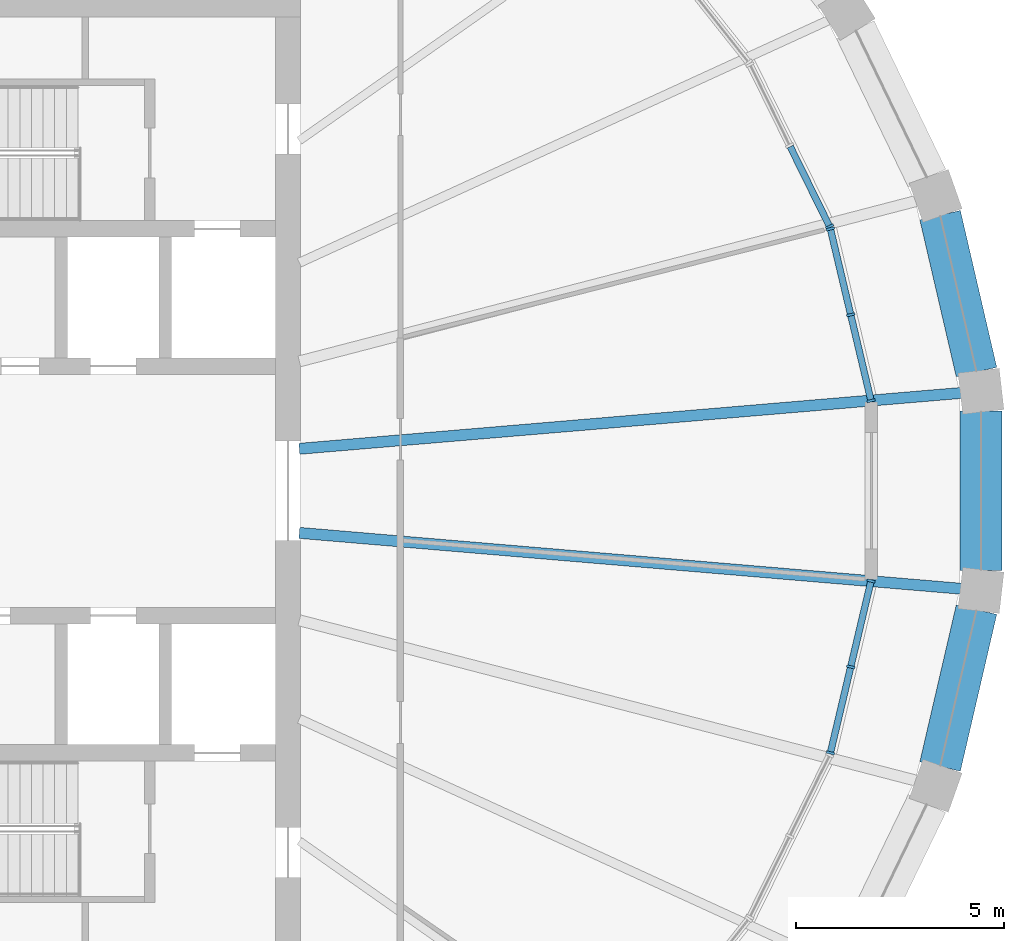
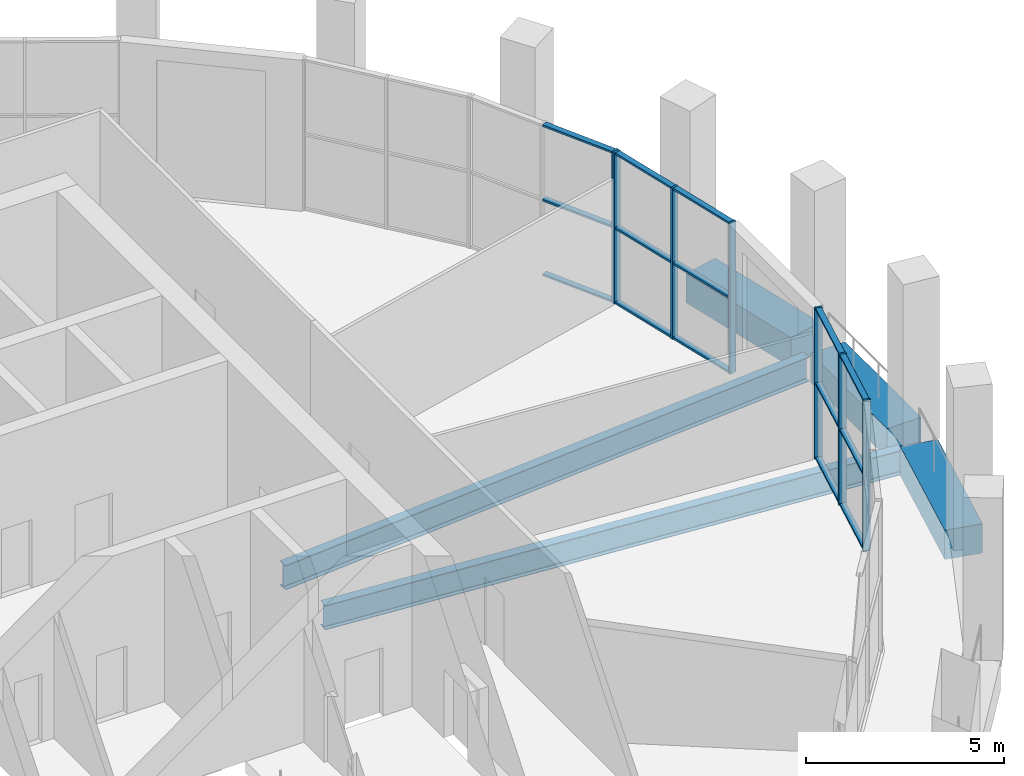
# One storey, part 5 of 15: 22 members, 5 beams, 3 elements without a shape of their own.
"""IFC4 building model written with IfcOpenShell, lengths in metres."""

from ifc_helpers import new_model, si_unit, direction, frame, origin, origin_2d, place, context, subcontext, project, spatial, rectangle, i_section, extrude, material, material_profile, profile_set, type_object, element, aggregate, save


model = new_model("IFC4")

# Units and contexts
model_context = context("Model", 3, precision=1e-05, world=origin(), true_north=direction((0.0, 1.0)))
body_context = subcontext(model_context, "Body", "Model", "MODEL_VIEW")
ifc_project = project(units=[si_unit("LENGTHUNIT", "METRE"), si_unit("AREAUNIT", "SQUARE_METRE"), si_unit("VOLUMEUNIT", "CUBIC_METRE"), si_unit("PLANEANGLEUNIT", "RADIAN"), si_unit("MASSUNIT", "GRAM", prefix="KILO")], contexts=[model_context])

# Site, building, storey
site_placement = place(None, origin())
site = spatial("IfcSite", under=ifc_project, at=site_placement, CompositionType="ELEMENT")
building_placement = place(site_placement, origin())
building = spatial("IfcBuilding", under=site, at=building_placement, Name="Halqa Exchange Tower", CompositionType="ELEMENT")
storey_placement = place(building_placement, frame((0.0, 0.0, 338.300048828125)))
storey = spatial("IfcBuildingStorey", under=building, at=storey_placement, Name="L79", CompositionType="ELEMENT", Elevation=338.300048828125)

# Curtain wall, members
ifc_material_1 = material(Name="Anodised aluminium and clear glass", Category="aluminium")
curtain_wall_type = type_object("IfcCurtainWallType", Name="Executive floor glazing", PredefinedType="NOTDEFINED", material=ifc_material_1)
curtain_wall_1_placement = place(storey_placement, origin())
curtain_wall_1 = element("IfcCurtainWall", 1, at=curtain_wall_1_placement, inside=storey, type_object=curtain_wall_type, Name="Executive floor glazing run G1", PredefinedType="NOTDEFINED")
ifc_material_2 = material(Name="Anodised aluminium", Category="aluminium")
ifc_material_profile_1 = material_profile(ifc_material_2, rectangle(XDim=0.199951171875, YDim=0.06005859375, at=origin_2d()), Name="AL 60x200")
ifc_profile_set_1 = profile_set([ifc_material_profile_1], Name="Anodised aluminium")
member_type_1 = type_object("IfcMemberType", Name="Executive floor glazing mullion 60 x 200", PredefinedType="MULLION", material=ifc_profile_set_1)
member_1_placement = place(storey_placement, frame((25.71923828125, 2.166748046875, 0.0), z_axis=(0.0, 0.0, 1.0), x_axis=(-0.97319169906, -0.229995471437, 0.0)))
member_1 = element("IfcMember", 2, at=member_1_placement, type_object=member_type_1, Name="G1 mullion 1", PredefinedType="MULLION", context=body_context, shape_type="SweptSolid", body=[
    extrude(rectangle(XDim=0.199951171875, YDim=0.06005859375, at=origin_2d()), origin(), (0.0, 0.0, 1.0), 4.64990234375),
])
member_2_placement = place(storey_placement, frame((25.23095703125, 4.2333984375, 0.0), z_axis=(0.0, 0.0, 1.0), x_axis=(-0.97319169906, -0.229995471437, 0.0)))
member_2 = element("IfcMember", 3, at=member_2_placement, type_object=member_type_1, Name="G1 mullion 2", PredefinedType="MULLION", context=body_context, shape_type="SweptSolid", body=[
    extrude(rectangle(XDim=0.199951171875, YDim=0.06005859375, at=origin_2d()), origin(), (0.0, 0.0, 1.0), 4.64990234375),
])
member_3_placement = place(storey_placement, frame((24.742431640625, 6.30029296875, 0.0), z_axis=(0.0, 0.0, 1.0), x_axis=(-0.97319169906, -0.229995471437, 0.0)))
member_3 = element("IfcMember", 4, at=member_3_placement, type_object=member_type_1, Name="G1 mullion 3", PredefinedType="MULLION", context=body_context, shape_type="SweptSolid", body=[
    extrude(rectangle(XDim=0.199951171875, YDim=0.06005859375, at=origin_2d()), origin(), (0.0, 0.0, 1.0), 4.64990234375),
])

# Curtain wall, member
curtain_wall_2_placement = place(storey_placement, origin())
curtain_wall_2 = element("IfcCurtainWall", 5, at=curtain_wall_2_placement, inside=storey, type_object=curtain_wall_type, Name="Executive floor glazing run G2", PredefinedType="NOTDEFINED")
member_4_placement = place(storey_placement, frame((24.72216796875, 6.3564453125, 0.0), z_axis=(0.0, 0.0, 1.0), x_axis=(-0.897214741349, -0.441594506199, 0.0)))
member_4 = element("IfcMember", 6, at=member_4_placement, type_object=member_type_1, Name="G2 mullion 1", PredefinedType="MULLION", context=body_context, shape_type="SweptSolid", body=[
    extrude(rectangle(XDim=0.199951171875, YDim=0.06005859375, at=origin_2d()), origin(), (0.0, 0.0, 1.0), 4.64990234375),
])

# Curtain wall, members
curtain_wall_3_placement = place(storey_placement, origin())
curtain_wall_3 = element("IfcCurtainWall", 7, at=curtain_wall_3_placement, inside=storey, type_object=curtain_wall_type, Name="Executive floor glazing run G31", PredefinedType="NOTDEFINED")
member_5_placement = place(storey_placement, frame((24.742431640625, -6.30029296875, 0.0), z_axis=(0.0, 0.0, 1.0), x_axis=(-0.97319169906, 0.229995471437, 0.0)))
member_5 = element("IfcMember", 8, at=member_5_placement, type_object=member_type_1, Name="G31 mullion 1", PredefinedType="MULLION", context=body_context, shape_type="SweptSolid", body=[
    extrude(rectangle(XDim=0.199951171875, YDim=0.06005859375, at=origin_2d()), origin(), (0.0, 0.0, 1.0), 4.64990234375),
])
member_6_placement = place(storey_placement, frame((25.23095703125, -4.2333984375, 0.0), z_axis=(0.0, 0.0, 1.0), x_axis=(-0.97319169906, 0.229995471437, 0.0)))
member_6 = element("IfcMember", 9, at=member_6_placement, type_object=member_type_1, Name="G31 mullion 2", PredefinedType="MULLION", context=body_context, shape_type="SweptSolid", body=[
    extrude(rectangle(XDim=0.199951171875, YDim=0.06005859375, at=origin_2d()), origin(), (0.0, 0.0, 1.0), 4.64990234375),
])
member_7_placement = place(storey_placement, frame((25.71923828125, -2.166748046875, 0.0), z_axis=(0.0, 0.0, 1.0), x_axis=(-0.97319169906, 0.229995471437, 0.0)))
member_7 = element("IfcMember", 10, at=member_7_placement, type_object=member_type_1, Name="G31 mullion 3", PredefinedType="MULLION", context=body_context, shape_type="SweptSolid", body=[
    extrude(rectangle(XDim=0.199951171875, YDim=0.06005859375, at=origin_2d()), origin(), (0.0, 0.0, 1.0), 4.64990234375),
])

# Member
ifc_material_profile_2 = material_profile(ifc_material_2, rectangle(XDim=0.159912109375, YDim=0.06005859375, at=origin_2d()), Name="AL 60x160")
ifc_profile_set_2 = profile_set([ifc_material_profile_2], Name="Anodised aluminium")
member_type_2 = type_object("IfcMemberType", Name="Executive floor glazing transom 60 x 160", PredefinedType="USERDEFINED", material=ifc_profile_set_2)
member_8_placement = place(storey_placement, frame((25.71240234375, 2.19580078125, 0.030029296875), z_axis=(-0.22996230686, 0.973199536284, 0.0), x_axis=(-0.973199536284, -0.22996230686, 0.0)))
member_8 = element("IfcMember", 11, at=member_8_placement, type_object=member_type_2, Name="G1 transom 1.1", ObjectType="TRANSOM", PredefinedType="USERDEFINED", context=body_context, shape_type="SweptSolid", body=[
    extrude(rectangle(XDim=0.159912109375, YDim=0.06005859375, at=origin_2d()), origin(), (0.0, 0.0, 1.0), 2.06396484375),
])

member_9_placement = place(storey_placement, frame((25.71240234375, 2.19580078125, 2.324951171875), z_axis=(-0.22996230686, 0.973199536284, 0.0), x_axis=(-0.973199536284, -0.22996230686, 0.0)))
member_9 = element("IfcMember", 12, at=member_9_placement, type_object=member_type_2, Name="G1 transom 1.2", ObjectType="TRANSOM", PredefinedType="USERDEFINED", context=body_context, shape_type="SweptSolid", body=[
    extrude(rectangle(XDim=0.159912109375, YDim=0.06005859375, at=origin_2d()), origin(), (0.0, 0.0, 1.0), 2.06396484375),
])

member_10_placement = place(storey_placement, frame((25.71240234375, 2.19580078125, 4.619873046875), z_axis=(-0.22996230686, 0.973199536284, 0.0), x_axis=(-0.973199536284, -0.22996230686, 0.0)))
member_10 = element("IfcMember", 13, at=member_10_placement, type_object=member_type_2, Name="G1 transom 1.3", ObjectType="TRANSOM", PredefinedType="USERDEFINED", context=body_context, shape_type="SweptSolid", body=[
    extrude(rectangle(XDim=0.159912109375, YDim=0.06005859375, at=origin_2d()), origin(), (0.0, 0.0, 1.0), 2.06396484375),
])

member_11_placement = place(storey_placement, frame((25.223876953125, 4.2626953125, 0.030029296875), z_axis=(-0.229988783785, 0.973193279535, 0.0), x_axis=(-0.973193279535, -0.229988783785, 0.0)))
member_11 = element("IfcMember", 14, at=member_11_placement, type_object=member_type_2, Name="G1 transom 2.1", ObjectType="TRANSOM", PredefinedType="USERDEFINED", context=body_context, shape_type="SweptSolid", body=[
    extrude(rectangle(XDim=0.159912109375, YDim=0.06005859375, at=origin_2d()), origin(), (0.0, 0.0, 1.0), 2.063720703125),
])

member_12_placement = place(storey_placement, frame((25.223876953125, 4.2626953125, 2.324951171875), z_axis=(-0.229988783785, 0.973193279535, 0.0), x_axis=(-0.973193279535, -0.229988783785, 0.0)))
member_12 = element("IfcMember", 15, at=member_12_placement, type_object=member_type_2, Name="G1 transom 2.2", ObjectType="TRANSOM", PredefinedType="USERDEFINED", context=body_context, shape_type="SweptSolid", body=[
    extrude(rectangle(XDim=0.159912109375, YDim=0.06005859375, at=origin_2d()), origin(), (0.0, 0.0, 1.0), 2.063720703125),
])

member_13_placement = place(storey_placement, frame((25.223876953125, 4.2626953125, 4.619873046875), z_axis=(-0.229988783785, 0.973193279535, 0.0), x_axis=(-0.973193279535, -0.229988783785, 0.0)))
member_13 = element("IfcMember", 16, at=member_13_placement, type_object=member_type_2, Name="G1 transom 2.3", ObjectType="TRANSOM", PredefinedType="USERDEFINED", context=body_context, shape_type="SweptSolid", body=[
    extrude(rectangle(XDim=0.159912109375, YDim=0.06005859375, at=origin_2d()), origin(), (0.0, 0.0, 1.0), 2.063720703125),
])

aggregate(curtain_wall_1, [member_1, member_2, member_3, member_8, member_9, member_10, member_11, member_12, member_13])

member_14_placement = place(storey_placement, frame((24.708984375, 6.38330078125, 0.030029296875), z_axis=(-0.441603772589, 0.897210180524, 0.0), x_axis=(-0.897210180524, -0.441603772589, 0.0)))
member_14 = element("IfcMember", 17, at=member_14_placement, type_object=member_type_2, Name="G2 transom 1.1", ObjectType="TRANSOM", PredefinedType="USERDEFINED", context=body_context, shape_type="SweptSolid", body=[
    extrude(rectangle(XDim=0.159912109375, YDim=0.06005859375, at=origin_2d()), origin(), (0.0, 0.0, 1.0), 2.109619140625),
])

member_15_placement = place(storey_placement, frame((24.708984375, 6.38330078125, 2.324951171875), z_axis=(-0.441603772589, 0.897210180524, 0.0), x_axis=(-0.897210180524, -0.441603772589, 0.0)))
member_15 = element("IfcMember", 18, at=member_15_placement, type_object=member_type_2, Name="G2 transom 1.2", ObjectType="TRANSOM", PredefinedType="USERDEFINED", context=body_context, shape_type="SweptSolid", body=[
    extrude(rectangle(XDim=0.159912109375, YDim=0.06005859375, at=origin_2d()), origin(), (0.0, 0.0, 1.0), 2.109619140625),
])

member_16_placement = place(storey_placement, frame((24.708984375, 6.38330078125, 4.619873046875), z_axis=(-0.441603772589, 0.897210180524, 0.0), x_axis=(-0.897210180524, -0.441603772589, 0.0)))
member_16 = element("IfcMember", 19, at=member_16_placement, type_object=member_type_2, Name="G2 transom 1.3", ObjectType="TRANSOM", PredefinedType="USERDEFINED", context=body_context, shape_type="SweptSolid", body=[
    extrude(rectangle(XDim=0.159912109375, YDim=0.06005859375, at=origin_2d()), origin(), (0.0, 0.0, 1.0), 2.109619140625),
])

aggregate(curtain_wall_2, [member_4, member_14, member_15, member_16])

member_17_placement = place(storey_placement, frame((24.749267578125, -6.27099609375, 0.030029296875), z_axis=(0.229988783785, 0.973193279535, 0.0), x_axis=(-0.973193279535, 0.229988783785, 0.0)))
member_17 = element("IfcMember", 20, at=member_17_placement, type_object=member_type_2, Name="G31 transom 1.1", ObjectType="TRANSOM", PredefinedType="USERDEFINED", context=body_context, shape_type="SweptSolid", body=[
    extrude(rectangle(XDim=0.159912109375, YDim=0.06005859375, at=origin_2d()), origin(), (0.0, 0.0, 1.0), 2.063720703125),
])

member_18_placement = place(storey_placement, frame((24.749267578125, -6.27099609375, 2.324951171875), z_axis=(0.229988783785, 0.973193279535, 0.0), x_axis=(-0.973193279535, 0.229988783785, 0.0)))
member_18 = element("IfcMember", 21, at=member_18_placement, type_object=member_type_2, Name="G31 transom 1.2", ObjectType="TRANSOM", PredefinedType="USERDEFINED", context=body_context, shape_type="SweptSolid", body=[
    extrude(rectangle(XDim=0.159912109375, YDim=0.06005859375, at=origin_2d()), origin(), (0.0, 0.0, 1.0), 2.063720703125),
])

member_19_placement = place(storey_placement, frame((24.749267578125, -6.27099609375, 4.619873046875), z_axis=(0.229988783785, 0.973193279535, 0.0), x_axis=(-0.973193279535, 0.229988783785, 0.0)))
member_19 = element("IfcMember", 22, at=member_19_placement, type_object=member_type_2, Name="G31 transom 1.3", ObjectType="TRANSOM", PredefinedType="USERDEFINED", context=body_context, shape_type="SweptSolid", body=[
    extrude(rectangle(XDim=0.159912109375, YDim=0.06005859375, at=origin_2d()), origin(), (0.0, 0.0, 1.0), 2.063720703125),
])

member_20_placement = place(storey_placement, frame((25.23779296875, -4.204345703125, 0.030029296875), z_axis=(0.22996230686, 0.973199536284, 0.0), x_axis=(-0.973199536284, 0.22996230686, 0.0)))
member_20 = element("IfcMember", 23, at=member_20_placement, type_object=member_type_2, Name="G31 transom 2.1", ObjectType="TRANSOM", PredefinedType="USERDEFINED", context=body_context, shape_type="SweptSolid", body=[
    extrude(rectangle(XDim=0.159912109375, YDim=0.06005859375, at=origin_2d()), origin(), (0.0, 0.0, 1.0), 2.06396484375),
])

member_21_placement = place(storey_placement, frame((25.23779296875, -4.204345703125, 2.324951171875), z_axis=(0.22996230686, 0.973199536284, 0.0), x_axis=(-0.973199536284, 0.22996230686, 0.0)))
member_21 = element("IfcMember", 24, at=member_21_placement, type_object=member_type_2, Name="G31 transom 2.2", ObjectType="TRANSOM", PredefinedType="USERDEFINED", context=body_context, shape_type="SweptSolid", body=[
    extrude(rectangle(XDim=0.159912109375, YDim=0.06005859375, at=origin_2d()), origin(), (0.0, 0.0, 1.0), 2.06396484375),
])

member_22_placement = place(storey_placement, frame((25.23779296875, -4.204345703125, 4.619873046875), z_axis=(0.22996230686, 0.973199536284, 0.0), x_axis=(-0.973199536284, 0.22996230686, 0.0)))
member_22 = element("IfcMember", 25, at=member_22_placement, type_object=member_type_2, Name="G31 transom 2.3", ObjectType="TRANSOM", PredefinedType="USERDEFINED", context=body_context, shape_type="SweptSolid", body=[
    extrude(rectangle(XDim=0.159912109375, YDim=0.06005859375, at=origin_2d()), origin(), (0.0, 0.0, 1.0), 2.06396484375),
])

aggregate(curtain_wall_3, [member_5, member_6, member_7, member_17, member_18, member_19, member_20, member_21, member_22])

# Beams
ifc_material_3 = material(Name="Steel S355", Category="steel")
ifc_material_profile_3 = material_profile(ifc_material_3, i_section(OverallWidth=0.264892578125, OverallDepth=0.7529296875, WebThickness=0.01318359375, FlangeThickness=0.01708984375, FilletRadius=0.01708984375, at=origin_2d()), Name="IPE 750x147")
ifc_profile_set_3 = profile_set([ifc_material_profile_3], Name="Steel S355")
beam_type_1 = type_object("IfcBeamType", Name="Floor beam IPE 750x147", PredefinedType="BEAM", material=ifc_profile_set_3)
for number, where, z_axis, x_axis, name in (
    (26, (11.972900390625, 1.0107421875, -0.7265625), (0.996455843657, 0.08411748713, 0.0), (-0.08411748713, 0.996455843657, 0.0), "Radial beam 1"),
    (27, (11.972900390625, -1.0107421875, -0.7265625), (0.996455843657, -0.08411748713, 0.0), (0.08411748713, 0.996455843657, 0.0), "Radial beam 32"),
):
    element("IfcBeam", number, at=place(storey_placement, frame(where, z_axis=z_axis, x_axis=x_axis)), inside=storey, type_object=beam_type_1, Name=name, PredefinedType="BEAM", context=body_context, shape_type="SweptSolid", body=[
        extrude(i_section(OverallWidth=0.264892578125, OverallDepth=0.7529296875, WebThickness=0.01318359375, FlangeThickness=0.01708984375, FilletRadius=0.01708984375, at=origin_2d()), origin(), (0.0, 0.0, 1.0), 16.076171875),
    ])
ifc_material_4 = material(Name="Concrete C60/75", Category="concrete")
ifc_material_profile_4 = material_profile(ifc_material_4, rectangle(XDim=1.0, YDim=0.89990234375, at=origin_2d()), Name="1000 x 900")
ifc_profile_set_4 = profile_set([ifc_material_profile_4], Name="Concrete C60/75")
beam_type_2 = type_object("IfcBeamType", Name="RC spandrel beam 1000 x 900 C60/75", PredefinedType="SPANDREL", material=ifc_profile_set_4)
for number, where, z_axis, x_axis, name in (
    (28, (28.25537109375, 2.857177734375, -0.449951171875), (-0.226093384766, 0.974105631523, 0.0), (-0.974105631523, -0.226093384766, 0.0), "Spandrel 1"),
    (29, (27.3798828125, -6.629150390625, -0.449951171875), (0.226093384766, 0.974105631523, 0.0), (-0.974105631523, 0.226093384766, 0.0), "Spandrel 31"),
):
    element("IfcBeam", number, at=place(storey_placement, frame(where, z_axis=z_axis, x_axis=x_axis)), inside=storey, type_object=beam_type_2, Name=name, PredefinedType="SPANDREL", context=body_context, shape_type="SweptSolid", body=[
        extrude(rectangle(XDim=1.0, YDim=0.89990234375, at=origin_2d()), origin(), (0.0, 0.0, 1.0), 3.872314453125),
    ])
beam_placement = place(storey_placement, frame((28.36279296875, -1.919189453125, -0.449951171875), z_axis=(0.0, 1.0, 0.0), x_axis=(-1.0, 0.0, 0.0)))
element("IfcBeam", 30, at=beam_placement, inside=storey, type_object=beam_type_2, Name="Spandrel 32", PredefinedType="SPANDREL", context=body_context, shape_type="SweptSolid", body=[
    extrude(rectangle(XDim=1.0, YDim=0.89990234375, at=origin_2d()), origin(), (0.0, 0.0, 1.0), 3.83837890625),
])

save(model, "model.ifc")
